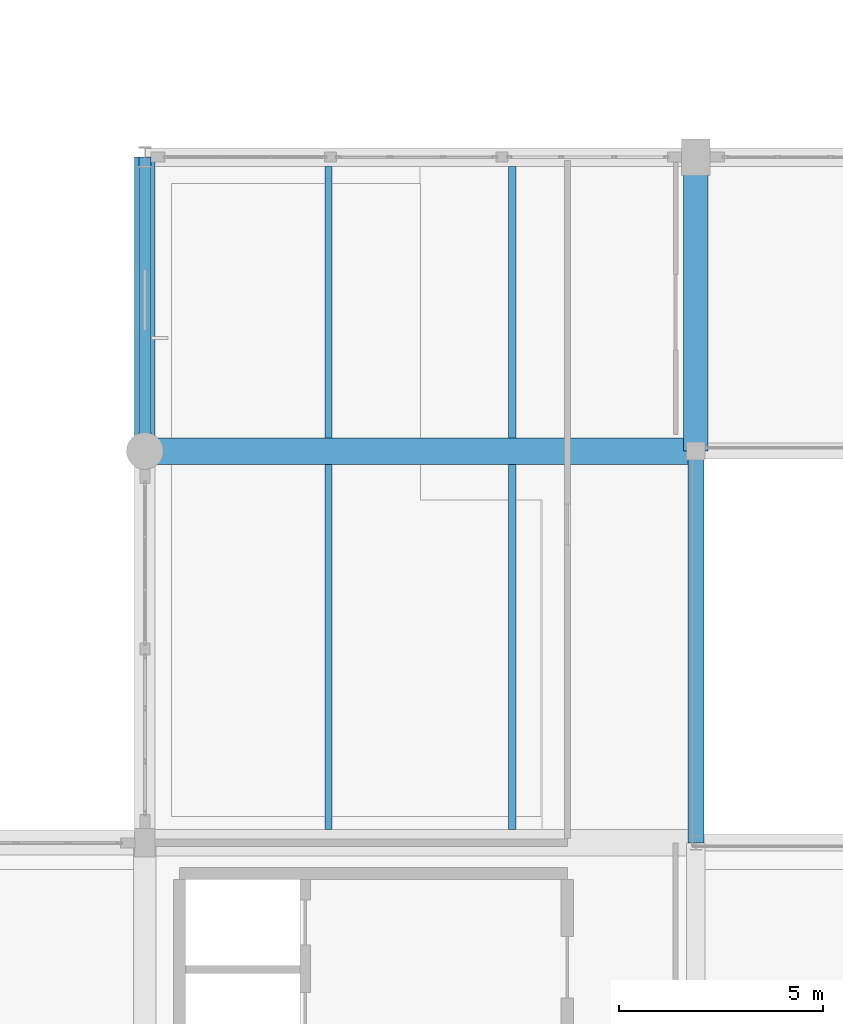
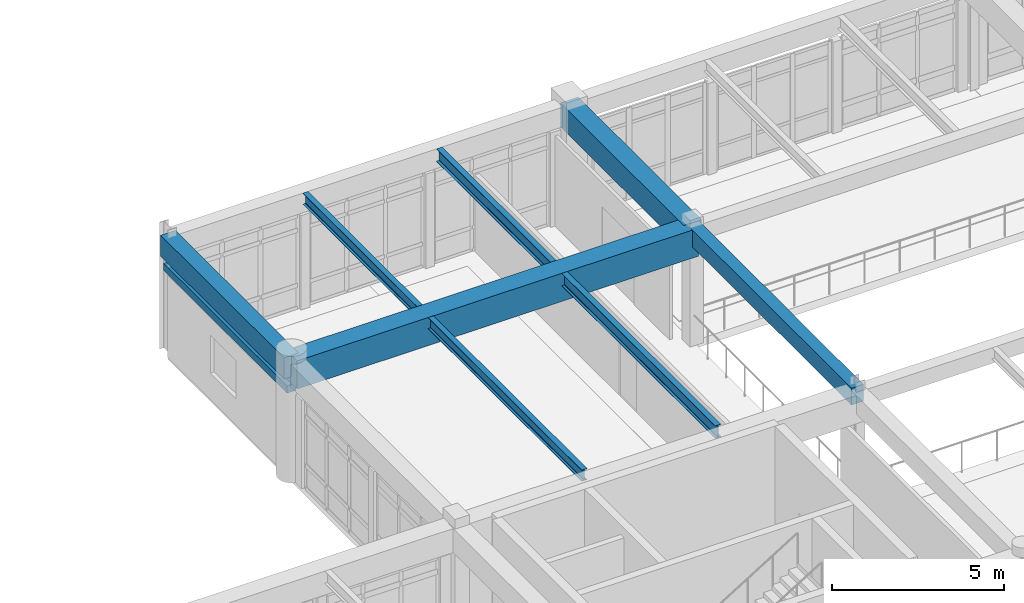
# One storey, part 19 of 80: 9 beams.
"""IFC4 building model written with IfcOpenShell, lengths in metres."""

from ifc_helpers import new_model, si_unit, direction, frame, origin, origin_2d, place, context, subcontext, project, spatial, rectangle, i_section, extrude, material, material_profile, profile_set, type_object, element, save


model = new_model("IFC4")

# Units and contexts
model_context = context("Model", 3, precision=1e-05, world=origin(), true_north=direction((0.0, 1.0)))
body_context = subcontext(model_context, "Body", "Model", "MODEL_VIEW")
ifc_project = project(units=[si_unit("LENGTHUNIT", "METRE"), si_unit("AREAUNIT", "SQUARE_METRE"), si_unit("VOLUMEUNIT", "CUBIC_METRE"), si_unit("PLANEANGLEUNIT", "RADIAN"), si_unit("MASSUNIT", "GRAM", prefix="KILO")], contexts=[model_context])

# Site, building, storey
site_placement = place(None, origin())
site = spatial("IfcSite", under=ifc_project, at=site_placement, CompositionType="ELEMENT")
building_placement = place(site_placement, origin())
building = spatial("IfcBuilding", under=site, at=building_placement, Name="Fikremerkos Civic Library", CompositionType="ELEMENT")
storey_placement = place(building_placement, frame((0.0, 0.0, 9.89990234375)))
storey = spatial("IfcBuildingStorey", under=building, at=storey_placement, Name="L02", CompositionType="ELEMENT", Elevation=9.89990234375)

# Beams
ifc_material_1 = material(Name="Steel S355", Category="steel")
ifc_material_profile_1 = material_profile(ifc_material_1, i_section(OverallWidth=0.18994140625, OverallDepth=0.449951171875, WebThickness=0.009521484375, FlangeThickness=0.0146484375, FilletRadius=0.02099609375, at=origin_2d()), Name="IPE 450")
ifc_profile_set_1 = profile_set([ifc_material_profile_1], Name="Steel S355")
beam_type_1 = type_object("IfcBeamType", Name="Floor joist JS-07 IPE 450", PredefinedType="JOIST", material=ifc_profile_set_1)
beam_1_placement = place(storey_placement, frame((55.199951171875, 31.52490234375, 3.9951171875), z_axis=(0.0, 1.0, 0.0), x_axis=(-1.0, 0.0, 0.0)))
element("IfcBeam", 1, at=beam_1_placement, inside=storey, type_object=beam_type_1, Name="Floor joist JS-07 L02 #495", PredefinedType="JOIST", context=body_context, shape_type="SweptSolid", body=[
    extrude(i_section(OverallWidth=0.18994140625, OverallDepth=0.449951171875, WebThickness=0.009521484375, FlangeThickness=0.0146484375, FilletRadius=0.02099609375, at=origin_2d()), origin(), (0.0, 0.0, 1.0), 8.9501953125),
])
beam_2_placement = place(storey_placement, frame((55.199951171875, 41.125, 3.9951171875), z_axis=(0.0, 1.0, 0.0), x_axis=(-1.0, 0.0, 0.0)))
element("IfcBeam", 2, at=beam_2_placement, inside=storey, type_object=beam_type_1, Name="Floor joist JS-07 L02 #497", PredefinedType="JOIST", context=body_context, shape_type="SweptSolid", body=[
    extrude(i_section(OverallWidth=0.18994140625, OverallDepth=0.449951171875, WebThickness=0.009521484375, FlangeThickness=0.0146484375, FilletRadius=0.02099609375, at=origin_2d()), origin(), (0.0, 0.0, 1.0), 6.64990234375),
])
ifc_material_profile_2 = material_profile(ifc_material_1, i_section(OverallWidth=0.179931640625, OverallDepth=0.39990234375, WebThickness=0.008544921875, FlangeThickness=0.013427734375, FilletRadius=0.02099609375, at=origin_2d()), Name="IPE 400")
ifc_profile_set_2 = profile_set([ifc_material_profile_2], Name="Steel S355")
beam_type_2 = type_object("IfcBeamType", Name="Floor joist JS-08 IPE 400", PredefinedType="JOIST", material=ifc_profile_set_2)
beam_3_placement = place(storey_placement, frame((50.699951171875, 31.52490234375, 4.02001953125), z_axis=(0.0, 1.0, 0.0), x_axis=(-1.0, 0.0, 0.0)))
element("IfcBeam", 3, at=beam_3_placement, inside=storey, type_object=beam_type_2, Name="Floor joist JS-08 L02 #494", PredefinedType="JOIST", context=body_context, shape_type="SweptSolid", body=[
    extrude(i_section(OverallWidth=0.179931640625, OverallDepth=0.39990234375, WebThickness=0.008544921875, FlangeThickness=0.013427734375, FilletRadius=0.02099609375, at=origin_2d()), origin(), (0.0, 0.0, 1.0), 8.9501953125),
])
beam_4_placement = place(storey_placement, frame((50.699951171875, 41.125, 4.02001953125), z_axis=(0.0, 1.0, 0.0), x_axis=(-1.0, 0.0, 0.0)))
element("IfcBeam", 4, at=beam_4_placement, inside=storey, type_object=beam_type_2, Name="Floor joist JS-08 L02 #496", PredefinedType="JOIST", context=body_context, shape_type="SweptSolid", body=[
    extrude(i_section(OverallWidth=0.179931640625, OverallDepth=0.39990234375, WebThickness=0.008544921875, FlangeThickness=0.013427734375, FilletRadius=0.02099609375, at=origin_2d()), origin(), (0.0, 0.0, 1.0), 6.64990234375),
])
ifc_material_2 = material(Name="Concrete C40/50", Category="concrete")
ifc_material_profile_3 = material_profile(ifc_material_2, rectangle(XDim=0.300048828125, YDim=0.260009765625, at=origin_2d()), Name="RC 300x260")
ifc_profile_set_3 = profile_set([ifc_material_profile_3], Name="Concrete C40/50")
beam_type_3 = type_object("IfcBeamType", Name="Opening lintel LNT-02 RC 300x260", PredefinedType="LINTEL", material=ifc_profile_set_3)
beam_5_placement = place(storey_placement, frame((46.199951171875, 40.800048828125, 3.06005859375), z_axis=(0.0, 1.0, 0.0), x_axis=(-1.0, 0.0, 0.0)))
element("IfcBeam", 5, at=beam_5_placement, inside=storey, type_object=beam_type_3, Name="Courtyard window head lintel LNT-02 L02 #26", PredefinedType="LINTEL", context=body_context, shape_type="SweptSolid", body=[
    extrude(rectangle(XDim=0.300048828125, YDim=0.260009765625, at=origin_2d()), origin(), (0.0, 0.0, 1.0), 7.199951171875),
])
ifc_material_profile_4 = material_profile(ifc_material_2, rectangle(XDim=0.5, YDim=0.75, at=origin_2d()), Name="RC 500x750")
ifc_profile_set_4 = profile_set([ifc_material_profile_4], Name="Concrete C40/50")
beam_type_4 = type_object("IfcBeamType", Name="Primary girder BM-05 RC 500x750", PredefinedType="BEAM", material=ifc_profile_set_4)
beam_6_placement = place(storey_placement, frame((46.199951171875, 40.800048828125, 3.84521484375), z_axis=(0.0, 1.0, 0.0), x_axis=(-1.0, 0.0, 0.0)))
element("IfcBeam", 6, at=beam_6_placement, inside=storey, type_object=beam_type_4, Name="Primary girder BM-05 L02 grid 5", PredefinedType="BEAM", context=body_context, shape_type="SweptSolid", body=[
    extrude(rectangle(XDim=0.5, YDim=0.75, at=origin_2d()), origin(), (0.0, 0.0, 1.0), 7.199951171875),
])
ifc_material_profile_5 = material_profile(ifc_material_2, rectangle(XDim=0.39990234375, YDim=0.60009765625, at=origin_2d()), Name="RC 400x600")
ifc_profile_set_5 = profile_set([ifc_material_profile_5], Name="Concrete C40/50")
beam_type_5 = type_object("IfcBeamType", Name="Primary girder BM-08 RC 400x600", PredefinedType="BEAM", material=ifc_profile_set_5)
beam_7_placement = place(storey_placement, frame((59.699951171875, 31.199951171875, 3.920166015625), z_axis=(0.0, 1.0, 0.0), x_axis=(-1.0, 0.0, 0.0)))
element("IfcBeam", 7, at=beam_7_placement, inside=storey, type_object=beam_type_5, Name="Primary girder BM-08 L02 grid 6", PredefinedType="BEAM", context=body_context, shape_type="SweptSolid", body=[
    extrude(rectangle(XDim=0.39990234375, YDim=0.60009765625, at=origin_2d()), origin(), (0.0, 0.0, 1.0), 9.60009765625),
])
ifc_material_profile_6 = material_profile(ifc_material_2, rectangle(XDim=0.60009765625, YDim=0.85009765625, at=origin_2d()), Name="RC 600x850")
ifc_profile_set_6 = profile_set([ifc_material_profile_6], Name="Concrete C40/50")
beam_type_6 = type_object("IfcBeamType", Name="Primary girder BM-24 RC 600x850", PredefinedType="BEAM", material=ifc_profile_set_6)
beam_8_placement = place(storey_placement, frame((59.699951171875, 40.800048828125, 3.795166015625), z_axis=(0.0, 1.0, 0.0), x_axis=(-1.0, 0.0, 0.0)))
element("IfcBeam", 8, at=beam_8_placement, inside=storey, type_object=beam_type_6, Name="Primary girder BM-24 L02 grid 6", PredefinedType="BEAM", context=body_context, shape_type="SweptSolid", body=[
    extrude(rectangle(XDim=0.60009765625, YDim=0.85009765625, at=origin_2d()), origin(), (0.0, 0.0, 1.0), 7.199951171875),
])
ifc_material_3 = material(Name="Concrete C45/55", Category="concrete")
ifc_material_profile_7 = material_profile(ifc_material_3, rectangle(XDim=0.64990234375, YDim=1.0, at=origin_2d()), Name="RC 650x1000")
ifc_profile_set_7 = profile_set([ifc_material_profile_7], Name="Concrete C45/55")
beam_type_7 = type_object("IfcBeamType", Name="Primary girder BM-25 RC 650x1000", PredefinedType="BEAM", material=ifc_profile_set_7)
beam_9_placement = place(storey_placement, frame((46.199951171875, 40.800048828125, 3.72021484375), z_axis=(1.0, 0.0, 0.0), x_axis=(0.0, 1.0, 0.0)))
element("IfcBeam", 9, at=beam_9_placement, inside=storey, type_object=beam_type_7, Name="Primary girder BM-25 L02 grid H", PredefinedType="BEAM", context=body_context, shape_type="SweptSolid", body=[
    extrude(rectangle(XDim=0.64990234375, YDim=1.0, at=origin_2d()), origin(), (0.0, 0.0, 1.0), 13.5),
])

save(model, "model.ifc")
